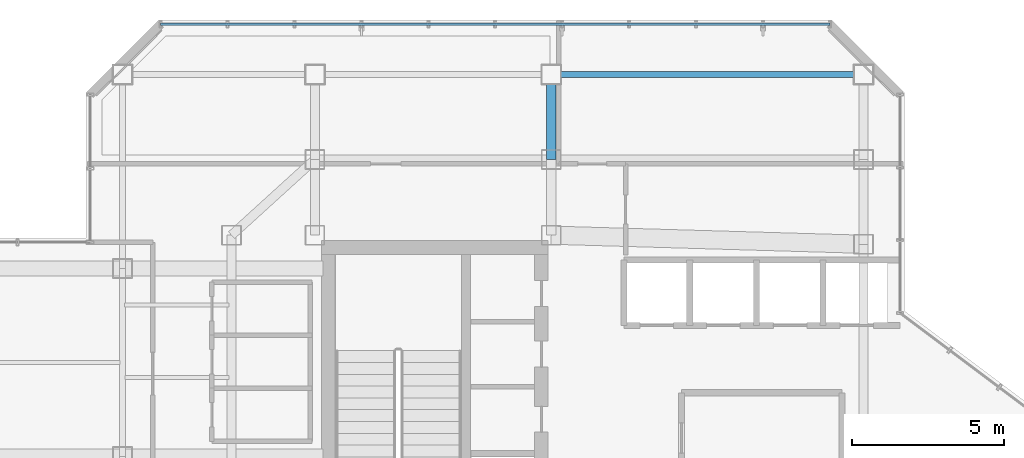
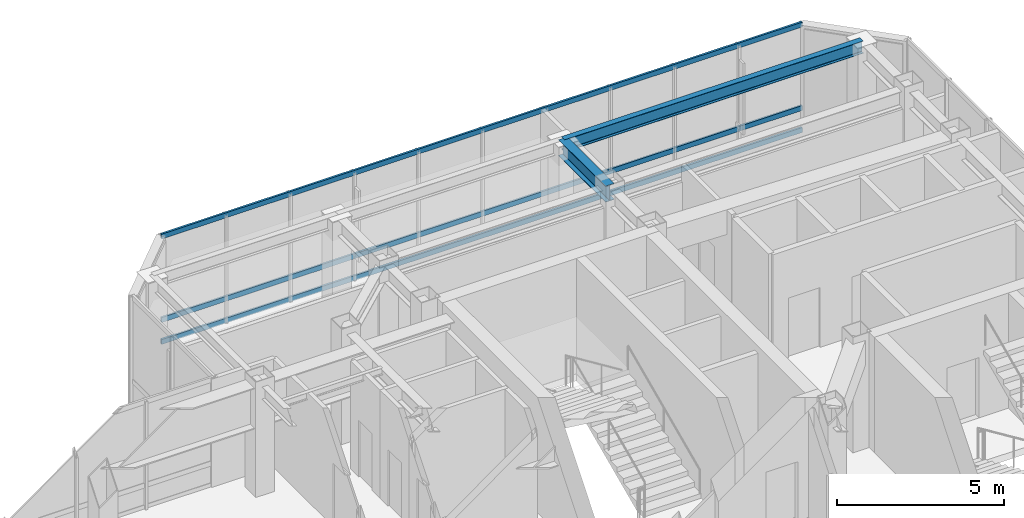
# One storey, part 14 of 22: 3 members, 2 beams, 1 element without a shape of its own.
"""IFC4 building model written with IfcOpenShell, lengths in metres."""

from ifc_helpers import new_model, si_unit, direction, frame, origin, origin_2d, place, context, subcontext, project, spatial, hollow_rectangle, i_section, extrude, material, layer, layer_set, material_profile, profile_set, type_object, element, aggregate, save


model = new_model("IFC4")

# Units and contexts
model_context = context("Model", 3, precision=1e-05, world=origin(), true_north=direction((0.0, 1.0)))
body_context = subcontext(model_context, "Body", "Model", "MODEL_VIEW")
ifc_project = project(units=[si_unit("LENGTHUNIT", "METRE"), si_unit("AREAUNIT", "SQUARE_METRE"), si_unit("VOLUMEUNIT", "CUBIC_METRE"), si_unit("PLANEANGLEUNIT", "RADIAN"), si_unit("MASSUNIT", "GRAM", prefix="KILO")], contexts=[model_context])

# Site, building, storey
site_placement = place(None, origin())
site = spatial("IfcSite", under=ifc_project, at=site_placement, CompositionType="ELEMENT")
building_placement = place(site_placement, origin())
building = spatial("IfcBuilding", under=site, at=building_placement, Name="Hatsunagi Terrace Concourse", CompositionType="ELEMENT")
storey_placement = place(building_placement, frame((0.0, 0.0, 261.75)))
storey = spatial("IfcBuildingStorey", under=building, at=storey_placement, Name="L69", CompositionType="ELEMENT", Elevation=261.75)

# Curtain wall, members
ifc_material_1 = material(Name="Anodised Aluminium Alloy 6063-T5", Category="aluminium")
ifc_layer = layer(ifc_material_1, 0.199951171875)
ifc_layer_set = layer_set([ifc_layer], Name="SkyLobbyAtrium_CW05")
curtain_wall_type = type_object("IfcCurtainWallType", Name="SkyLobbyAtrium_CW05", PredefinedType="NOTDEFINED", material=ifc_layer_set)
curtain_wall_placement = place(storey_placement, origin())
curtain_wall = element("IfcCurtainWall", 1, at=curtain_wall_placement, inside=storey, type_object=curtain_wall_type, Name="Unitised Curtain Wall CW-05 CW-L69-03", PredefinedType="NOTDEFINED")
ifc_material_2 = material(Name="Anodised Aluminium Alloy 6063-T5", Category="aluminium")
ifc_material_profile_1 = material_profile(ifc_material_2, hollow_rectangle(XDim=0.070068359375, YDim=0.179931640625, WallThickness=0.00390625, at=origin_2d()), Name="ALU-TRN-180x70x4")
ifc_profile_set_1 = profile_set([ifc_material_profile_1], Name="Anodised Aluminium Alloy 6063-T5")
member_type = type_object("IfcMemberType", Name="CurtainWallTransom_Heavy_180x70", PredefinedType="USERDEFINED", material=ifc_profile_set_1)
member_1_placement = place(storey_placement, frame((20.4580078125, 50.260009765625, 0.050048828125), z_axis=(1.0, 0.0, 0.0), x_axis=(0.0, 1.0, 0.0)))
member_1 = element("IfcMember", 2, at=member_1_placement, type_object=member_type, Name="Curtain Wall Transom TRN-01", ObjectType="TRANSOM", PredefinedType="USERDEFINED", context=body_context, shape_type="SweptSolid", body=[
    extrude(hollow_rectangle(XDim=0.070068359375, YDim=0.179931640625, WallThickness=0.00390625, at=origin_2d()), origin(), (0.0, 0.0, 1.0), 22.083984375),
])
member_2_placement = place(storey_placement, frame((20.4580078125, 50.260009765625, 0.85009765625), z_axis=(1.0, 0.0, 0.0), x_axis=(0.0, 1.0, 0.0)))
member_2 = element("IfcMember", 3, at=member_2_placement, type_object=member_type, Name="Curtain Wall Transom TRN-01", ObjectType="TRANSOM", PredefinedType="USERDEFINED", context=body_context, shape_type="SweptSolid", body=[
    extrude(hollow_rectangle(XDim=0.070068359375, YDim=0.179931640625, WallThickness=0.00390625, at=origin_2d()), origin(), (0.0, 0.0, 1.0), 22.083984375),
])
member_3_placement = place(storey_placement, frame((20.4580078125, 50.260009765625, 3.889892578125), z_axis=(1.0, 0.0, 0.0), x_axis=(0.0, 1.0, 0.0)))
member_3 = element("IfcMember", 4, at=member_3_placement, type_object=member_type, Name="Curtain Wall Transom TRN-01", ObjectType="TRANSOM", PredefinedType="USERDEFINED", context=body_context, shape_type="SweptSolid", body=[
    extrude(hollow_rectangle(XDim=0.070068359375, YDim=0.179931640625, WallThickness=0.00390625, at=origin_2d()), origin(), (0.0, 0.0, 1.0), 22.083984375),
])
aggregate(curtain_wall, [member_1, member_2, member_3])

# Beams
ifc_material_3 = material(Name="Steel SN490B", Category="steel")
ifc_material_profile_2 = material_profile(ifc_material_3, i_section(OverallWidth=0.300048828125, OverallDepth=0.587890625, WebThickness=0.011962890625, FlangeThickness=0.02001953125, FilletRadius=0.01806640625, at=origin_2d()), Name="H-588x300x12x20")
ifc_profile_set_2 = profile_set([ifc_material_profile_2], Name="Steel SN490B")
beam_type_1 = type_object("IfcBeamType", Name="OfficeHighGirder_H_588x300", PredefinedType="BEAM", material=ifc_profile_set_2)
beam_1_placement = place(storey_placement, frame((33.35009765625, 45.800048828125, 3.656005859375), z_axis=(0.0, 1.0, 0.0), x_axis=(-1.0, 0.0, 0.0)))
element("IfcBeam", 5, at=beam_1_placement, inside=storey, type_object=beam_type_1, Name="Beam G-06 BM-L69-KN-WN5", PredefinedType="BEAM", context=body_context, shape_type="SweptSolid", body=[
    extrude(i_section(OverallWidth=0.300048828125, OverallDepth=0.587890625, WebThickness=0.011962890625, FlangeThickness=0.02001953125, FilletRadius=0.01806640625, at=origin_2d()), origin(), (0.0, 0.0, 1.0), 2.800048828125),
])
ifc_material_4 = material(Name="Steel SN490B", Category="steel")
ifc_material_profile_3 = material_profile(ifc_material_4, i_section(OverallWidth=0.199951171875, OverallDepth=0.449951171875, WebThickness=0.009033203125, FlangeThickness=0.013916015625, FilletRadius=0.01611328125, at=origin_2d()), Name="H-450x200x9x14")
ifc_profile_set_3 = profile_set([ifc_material_profile_3], Name="Steel SN490B")
beam_type_2 = type_object("IfcBeamType", Name="PerimeterSpandrel_H_450x200", PredefinedType="SPANDREL", material=ifc_profile_set_3)
beam_2_placement = place(storey_placement, frame((33.35009765625, 48.60009765625, 3.72509765625), z_axis=(1.0, 0.0, 0.0), x_axis=(0.0, 1.0, 0.0)))
element("IfcBeam", 6, at=beam_2_placement, inside=storey, type_object=beam_type_2, Name="Beam SP-02 BM-L69-WN-33", PredefinedType="SPANDREL", context=body_context, shape_type="SweptSolid", body=[
    extrude(i_section(OverallWidth=0.199951171875, OverallDepth=0.449951171875, WebThickness=0.009033203125, FlangeThickness=0.013916015625, FilletRadius=0.01611328125, at=origin_2d()), origin(), (0.0, 0.0, 1.0), 10.2998046875),
])

save(model, "model.ifc")
